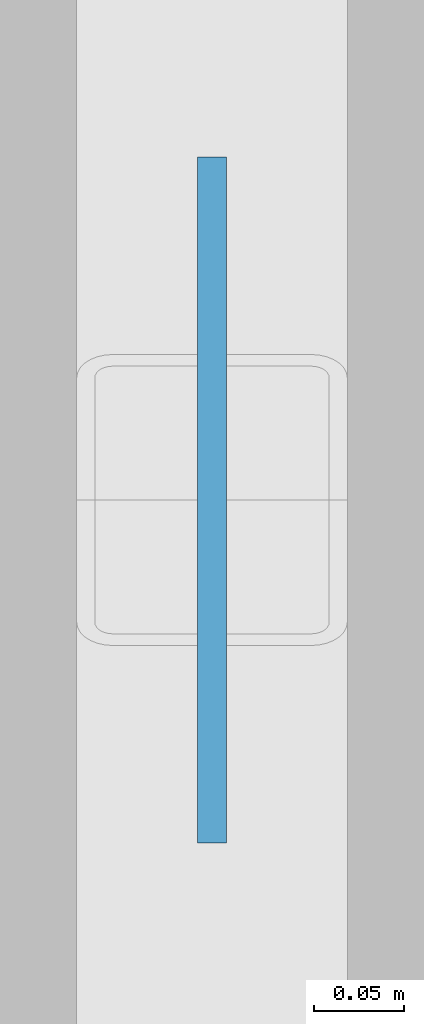
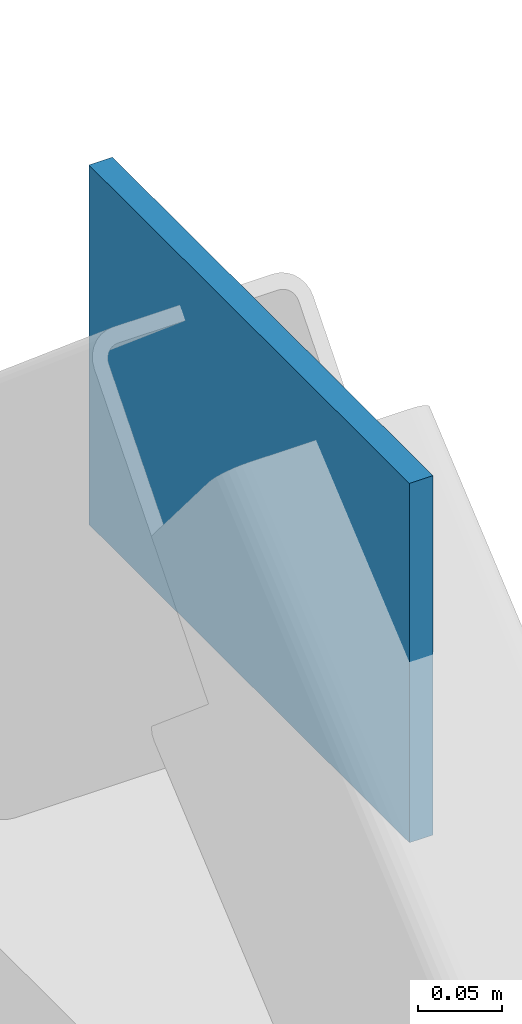
# One storey, part 31 of 51: 1 plate.
"""IFC4 building model written with IfcOpenShell, lengths in metres."""

from ifc_helpers import new_model, si_unit, direction, frame, origin, origin_2d, place, context, subcontext, project, spatial, rectangle, extrude, material, layer, layer_set, type_object, element, save


model = new_model("IFC4")

# Units and contexts
model_context = context("Model", 3, precision=1e-05, world=origin(), true_north=direction((0.0, 1.0)))
body_context = subcontext(model_context, "Body", "Model", "MODEL_VIEW")
ifc_project = project(units=[si_unit("LENGTHUNIT", "METRE"), si_unit("AREAUNIT", "SQUARE_METRE"), si_unit("VOLUMEUNIT", "CUBIC_METRE"), si_unit("PLANEANGLEUNIT", "RADIAN"), si_unit("MASSUNIT", "GRAM", prefix="KILO")], contexts=[model_context])

# Site, building, storey
site_placement = place(None, origin())
site = spatial("IfcSite", under=ifc_project, at=site_placement, CompositionType="ELEMENT")
building_placement = place(site_placement, origin())
building = spatial("IfcBuilding", under=site, at=building_placement, Name="Qasida Concert Hall", CompositionType="ELEMENT")
storey_placement = place(building_placement, frame((0.0, 0.0, 21.0)))
storey = spatial("IfcBuildingStorey", under=building, at=storey_placement, Name="L05", CompositionType="ELEMENT", Elevation=21.0)

# Plate
ifc_material = material(Name="Steel S355J2", Category="steel")
ifc_layer = layer(ifc_material, 0.01611328125, Name="Steel S355J2")
ifc_layer_set = layer_set([ifc_layer], Name="Steel S355J2")
plate_type = type_object("IfcPlateType", Name="PLT-PL-EC3", PredefinedType="SHEET", material=ifc_layer_set)
plate_placement = place(storey_placement, frame((105.0, 71.25, 3.0400390625), z_axis=(0.0, 0.0, 1.0), x_axis=(0.0, 1.0, 0.0)))
element("IfcPlate", 1, at=plate_placement, inside=storey, type_object=plate_type, Name="Chevron apex plate CBF-0082", PredefinedType="SHEET", context=body_context, shape_type="SweptSolid", body=[
    extrude(rectangle(XDim=0.3798828125, YDim=0.01611328125, at=origin_2d()), origin(), (0.0, 0.0, 1.0), 0.260009765625),
])

save(model, "model.ifc")
